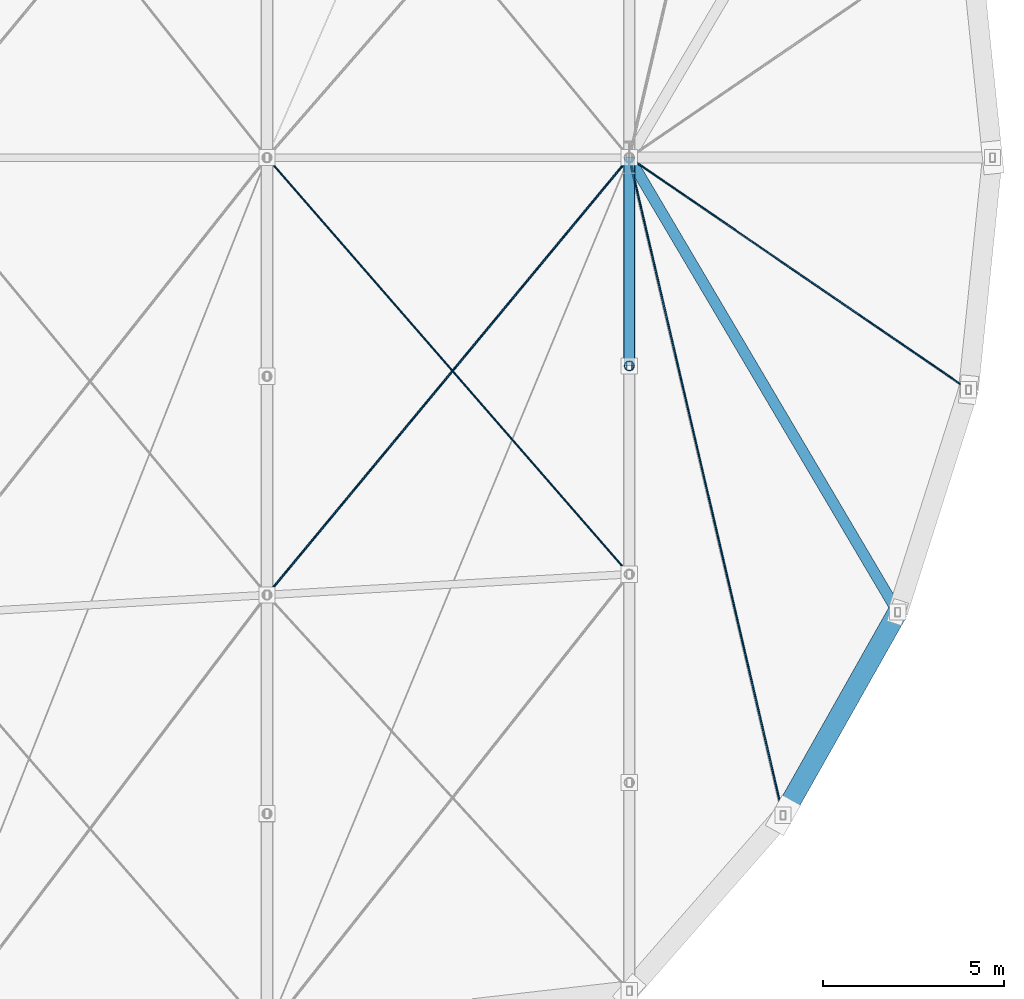
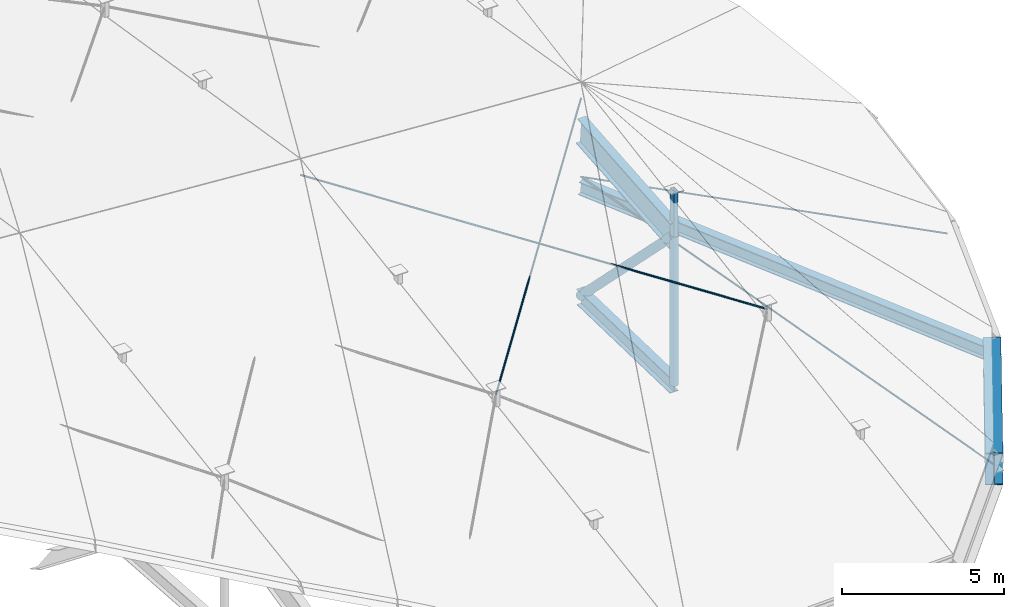
# One storey, part 29 of 68: 7 members, 4 beams.
"""IFC4 building model written with IfcOpenShell, lengths in metres."""

from ifc_helpers import new_model, si_unit, direction, frame, origin, origin_2d, place, context, subcontext, project, spatial, hollow_rectangle, circle, hollow_circle, i_section, extrude, material, material_profile, profile_set, type_object, element, save


model = new_model("IFC4")

# Units and contexts
model_context = context("Model", 3, precision=1e-05, world=origin(), true_north=direction((0.0, 1.0)))
body_context = subcontext(model_context, "Body", "Model", "MODEL_VIEW")
ifc_project = project(units=[si_unit("LENGTHUNIT", "METRE"), si_unit("AREAUNIT", "SQUARE_METRE"), si_unit("VOLUMEUNIT", "CUBIC_METRE"), si_unit("PLANEANGLEUNIT", "RADIAN"), si_unit("MASSUNIT", "GRAM", prefix="KILO")], contexts=[model_context])

# Site, building, storey
site_placement = place(None, origin())
site = spatial("IfcSite", under=ifc_project, at=site_placement, CompositionType="ELEMENT")
building_placement = place(site_placement, origin())
building = spatial("IfcBuilding", under=site, at=building_placement, Name="Sohan Crest Arena", CompositionType="ELEMENT")
storey_placement = place(building_placement, frame((0.0, 0.0, 27.0)))
storey = spatial("IfcBuildingStorey", under=building, at=storey_placement, Name="RF", CompositionType="ELEMENT", Elevation=27.0)

# Beams
ifc_material_1 = material(Name="Steel S355", Category="steel")
ifc_material_profile_1 = material_profile(ifc_material_1, i_section(OverallWidth=0.300048828125, OverallDepth=0.5, WebThickness=0.014404296875, FlangeThickness=0.028076171875, at=origin_2d()), Name="HEB 500")
ifc_profile_set_1 = profile_set([ifc_material_profile_1], Name="Steel S355")
beam_type_1 = type_object("IfcBeamType", Name="STR-BM-B14", PredefinedType="BEAM", material=ifc_profile_set_1)
beam_1_placement = place(storey_placement, frame((175.408935546875, 65.455078125, -3.68701171875), z_axis=(-0.506569910729, 0.857731844759, 0.087652769672), x_axis=(-0.861045933989, -0.508527186649, 0.0)))
element("IfcBeam", 1, at=beam_1_placement, inside=storey, type_object=beam_type_1, Name="Structural beam RP-RF-3170", PredefinedType="BEAM", context=body_context, shape_type="SweptSolid", body=[
    extrude(i_section(OverallWidth=0.300048828125, OverallDepth=0.5, WebThickness=0.014404296875, FlangeThickness=0.028076171875, at=origin_2d()), origin(), (0.0, 0.0, 1.0), 14.625732421875),
])
ifc_material_profile_2 = material_profile(ifc_material_1, i_section(OverallWidth=0.300048828125, OverallDepth=0.60009765625, WebThickness=0.015380859375, FlangeThickness=0.030029296875, at=origin_2d()), Name="HEB 600")
ifc_profile_set_2 = profile_set([ifc_material_profile_2], Name="Steel S355")
beam_type_2 = type_object("IfcBeamType", Name="STR-BM-B15", PredefinedType="BEAM", material=ifc_profile_set_2)
beam_2_placement = place(storey_placement, frame((168.0, 72.25, -6.381103515625), z_axis=(0.0, 0.999660351379, -0.026061118196), x_axis=(-1.0, 0.0, 0.0)))
element("IfcBeam", 2, at=beam_2_placement, inside=storey, type_object=beam_type_2, Name="Structural beam RAB-RF-3135", PredefinedType="BEAM", context=body_context, shape_type="SweptSolid", body=[
    extrude(i_section(OverallWidth=0.300048828125, OverallDepth=0.60009765625, WebThickness=0.015380859375, FlangeThickness=0.030029296875, at=origin_2d()), origin(), (0.0, 0.0, 1.0), 5.751953125),
])
ifc_material_profile_3 = material_profile(ifc_material_1, i_section(OverallWidth=0.300048828125, OverallDepth=1.0, WebThickness=0.01904296875, FlangeThickness=0.035888671875, at=origin_2d()), Name="HEB 1000")
ifc_profile_set_3 = profile_set([ifc_material_profile_3], Name="Steel S355")
beam_type_3 = type_object("IfcBeamType", Name="STR-BM-B19", PredefinedType="BEAM", material=ifc_profile_set_3)
beam_3_placement = place(storey_placement, frame((168.0, 72.25, -0.761962890625), z_axis=(0.0, 0.996520031911, 0.083353620196), x_axis=(-1.0, 0.0, 0.0)))
element("IfcBeam", 3, at=beam_3_placement, inside=storey, type_object=beam_type_3, Name="Structural beam RA-RF-3134", PredefinedType="BEAM", context=body_context, shape_type="SweptSolid", body=[
    extrude(i_section(OverallWidth=0.300048828125, OverallDepth=1.0, WebThickness=0.01904296875, FlangeThickness=0.035888671875, at=origin_2d()), origin(), (0.0, 0.0, 1.0), 5.77001953125),
])
ifc_material_profile_4 = material_profile(ifc_material_1, i_section(OverallWidth=0.550048828125, OverallDepth=1.199951171875, WebThickness=0.02197265625, FlangeThickness=0.034912109375, at=origin_2d()), Name="PG 1200x550x22x35")
ifc_profile_set_4 = profile_set([ifc_material_profile_4], Name="Steel S355")
beam_type_4 = type_object("IfcBeamType", Name="STR-BM-RB01", PredefinedType="USERDEFINED", material=ifc_profile_set_4)
beam_4_placement = place(storey_placement, frame((172.242919921875, 59.845947265625, -3.544921875), z_axis=(0.491424269642, 0.870641008254, -0.022054975704), x_axis=(-0.870852834985, 0.491543833039, 0.0)))
element("IfcBeam", 4, at=beam_4_placement, inside=storey, type_object=beam_type_4, Name="Rising compression ring beam segment RB-21", ObjectType="RING BEAM", PredefinedType="USERDEFINED", context=body_context, shape_type="SweptSolid", body=[
    extrude(i_section(OverallWidth=0.550048828125, OverallDepth=1.199951171875, WebThickness=0.02197265625, FlangeThickness=0.034912109375, at=origin_2d()), origin(), (0.0, 0.0, 1.0), 6.442626953125),
])

# Members
ifc_material_profile_5 = material_profile(ifc_material_1, hollow_circle(Radius=0.136474609375, WallThickness=0.012451171875, at=origin_2d()), Name="CHS 273x12.5")
ifc_profile_set_5 = profile_set([ifc_material_profile_5], Name="Steel S355")
member_type_1 = type_object("IfcMemberType", Name="STR-MEM-BR02", PredefinedType="BRACE", material=ifc_profile_set_5)
member_1_placement = place(storey_placement, frame((168.0, 72.25, -6.381103515625), z_axis=(0.0, 0.0, 1.0), x_axis=(1.0, 0.0, 0.0)))
element("IfcMember", 5, at=member_1_placement, inside=storey, type_object=member_type_1, Name="Lenticular roof truss web strut TW-243", PredefinedType="BRACE", context=body_context, shape_type="SweptSolid", body=[
    extrude(hollow_circle(Radius=0.136474609375, WallThickness=0.012451171875, at=origin_2d()), origin(), (0.0, 0.0, 1.0), 5.619140625),
])
ifc_material_profile_6 = material_profile(ifc_material_1, hollow_circle(Radius=0.161865234375, WallThickness=0.012451171875, at=origin_2d()), Name="CHS 323.9x12.5")
ifc_profile_set_6 = profile_set([ifc_material_profile_6], Name="Steel S355")
member_type_2 = type_object("IfcMemberType", Name="STR-MEM-BR03", PredefinedType="BRACE", material=ifc_profile_set_6)
member_2_placement = place(storey_placement, frame((168.0, 78.0, -6.531005859375), z_axis=(0.0, -0.70593684682, 0.708274783048), x_axis=(1.0, 0.0, 0.0)))
element("IfcMember", 6, at=member_2_placement, inside=storey, type_object=member_type_2, Name="Lenticular roof truss web diagonal TD-244", PredefinedType="BRACE", context=body_context, shape_type="SweptSolid", body=[
    extrude(hollow_circle(Radius=0.161865234375, WallThickness=0.012451171875, at=origin_2d()), origin(), (0.0, 0.0, 1.0), 8.145263671875),
])
ifc_material_2 = material(Name="Steel S460", Category="steel")
ifc_material_profile_7 = material_profile(ifc_material_2, circle(Radius=0.031982421875, at=origin_2d()), Name="FLC D64")
ifc_profile_set_7 = profile_set([ifc_material_profile_7], Name="Steel S460")
member_type_3 = type_object("IfcMemberType", Name="STR-MEM-CB01", PredefinedType="USERDEFINED", material=ifc_profile_set_7)
member_3_placement = place(storey_placement, frame((158.0, 65.927978515625, 0.554931640625), z_axis=(0.637768546023, 0.769915558965, 0.021938864291), x_axis=(-0.770100911356, 0.637922084841, 0.0)))
element("IfcMember", 7, at=member_3_placement, inside=storey, type_object=member_type_3, Name="Full-locked-coil roof cable CB-051", ObjectType="CABLE", PredefinedType="USERDEFINED", context=body_context, shape_type="SweptSolid", body=[
    extrude(circle(Radius=0.031982421875, at=origin_2d()), origin(), (0.0, 0.0, 1.0), 15.6796875),
])
ifc_material_profile_8 = material_profile(ifc_material_2, circle(Radius=0.02587890625, at=origin_2d()), Name="FLC D52")
ifc_profile_set_8 = profile_set([ifc_material_profile_8], Name="Steel S460")
member_type_4 = type_object("IfcMemberType", Name="STR-MEM-CB02", PredefinedType="USERDEFINED", material=ifc_profile_set_8)
member_4_placement = place(storey_placement, frame((158.0, 78.0, 1.51806640625), z_axis=(0.65267140898, -0.750572120327, -0.103254656499), x_axis=(0.754605522164, 0.656178714925, 0.0)))
element("IfcMember", 8, at=member_4_placement, inside=storey, type_object=member_type_4, Name="Full-locked-coil roof cable CB-052", ObjectType="CABLE", PredefinedType="USERDEFINED", context=body_context, shape_type="SweptSolid", body=[
    extrude(circle(Radius=0.02587890625, at=origin_2d()), origin(), (0.0, 0.0, 1.0), 15.321533203125),
])
ifc_material_profile_9 = material_profile(ifc_material_2, circle(Radius=0.02197265625, at=origin_2d()), Name="FLC D44")
ifc_profile_set_9 = profile_set([ifc_material_profile_9], Name="Steel S460")
member_type_5 = type_object("IfcMemberType", Name="STR-MEM-CB03", PredefinedType="USERDEFINED", material=ifc_profile_set_9)
member_5_placement = place(storey_placement, frame((172.242919921875, 59.845947265625, -3.375), z_axis=(-0.227016005852, 0.971326496298, 0.070629814353), x_axis=(-0.973758364187, -0.227584375949, 0.0)))
element("IfcMember", 9, at=member_5_placement, inside=storey, type_object=member_type_5, Name="East apse radial locked-coil cable CB-063", ObjectType="CABLE", PredefinedType="USERDEFINED", context=body_context, shape_type="SweptSolid", body=[
    extrude(circle(Radius=0.02197265625, at=origin_2d()), origin(), (0.0, 0.0, 1.0), 18.68994140625),
])
member_6_placement = place(storey_placement, frame((177.363037109375, 71.593017578125, -3.5859375), z_axis=(-0.817865490821, 0.559652788079, 0.133734048472), x_axis=(-0.56472557259, -0.82527875755, 0.0)))
element("IfcMember", 10, at=member_6_placement, inside=storey, type_object=member_type_5, Name="East apse radial locked-coil cable CB-064", ObjectType="CABLE", PredefinedType="USERDEFINED", context=body_context, shape_type="SweptSolid", body=[
    extrude(circle(Radius=0.02197265625, at=origin_2d()), origin(), (0.0, 0.0, 1.0), 11.4482421875),
])
ifc_material_profile_10 = material_profile(ifc_material_1, hollow_rectangle(XDim=0.14990234375, YDim=0.25, WallThickness=0.010009765625, at=origin_2d()), Name="RHS 250x150x10")
ifc_profile_set_10 = profile_set([ifc_material_profile_10], Name="Steel S355")
member_type_6 = type_object("IfcMemberType", Name="STR-MEM-CH02", PredefinedType="CHORD", material=ifc_profile_set_10)
member_7_placement = place(storey_placement, frame((168.0, 72.25, -0.761962890625), z_axis=(0.0, 0.0, 1.0), x_axis=(1.0, 0.0, 0.0)))
element("IfcMember", 11, at=member_7_placement, inside=storey, type_object=member_type_6, Name="Roof deck bearing saddle chord RSP-232", PredefinedType="CHORD", context=body_context, shape_type="SweptSolid", body=[
    extrude(hollow_rectangle(XDim=0.14990234375, YDim=0.25, WallThickness=0.010009765625, at=origin_2d()), origin(), (0.0, 0.0, 1.0), 1.72998046875),
])

save(model, "model.ifc")
